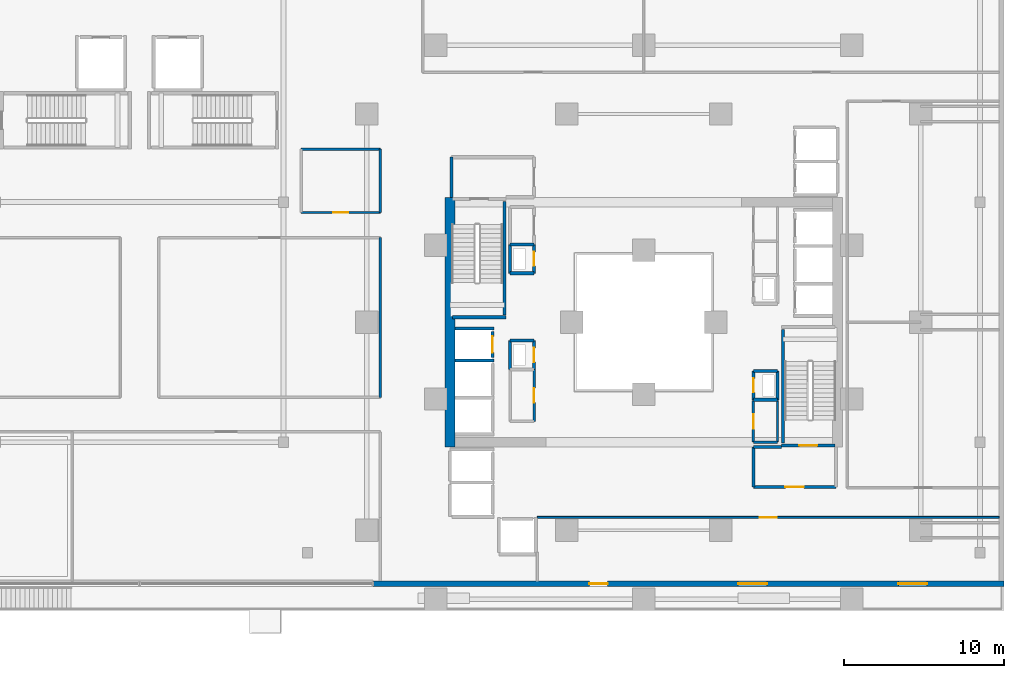
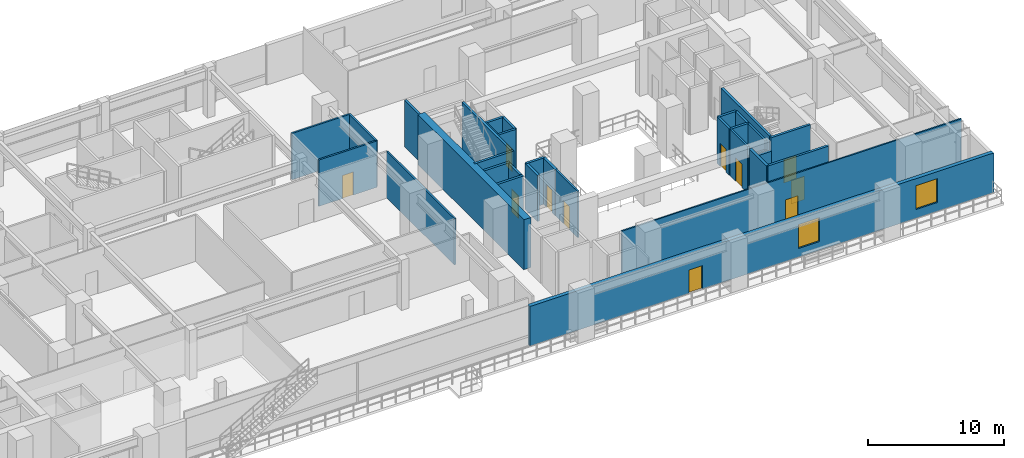
# One storey, part 15 of 22: 33 walls, 11 doors, 2 windows, 13 openings.
"""IFC4 building model written with IfcOpenShell, lengths in metres."""

from ifc_helpers import new_model, si_unit, direction, frame, frame_2d, origin, place, context, subcontext, project, spatial, rectangle, extrude, material, layer, layer_set, type_object, element, fill, save


model = new_model("IFC4")

# Units and contexts
model_context = context("Model", 3, precision=1e-05, world=origin(), true_north=direction((0.0, 1.0)))
body_context = subcontext(model_context, "Body", "Model", "MODEL_VIEW")
ifc_project = project(units=[si_unit("LENGTHUNIT", "METRE"), si_unit("AREAUNIT", "SQUARE_METRE"), si_unit("VOLUMEUNIT", "CUBIC_METRE"), si_unit("PLANEANGLEUNIT", "RADIAN"), si_unit("MASSUNIT", "GRAM", prefix="KILO")], contexts=[model_context])

# Site, building, storey
site_placement = place(None, origin())
site = spatial("IfcSite", under=ifc_project, at=site_placement, CompositionType="ELEMENT")
building_placement = place(site_placement, origin())
building = spatial("IfcBuilding", under=site, at=building_placement, Name="Thornwick Lancets Civic Towers", CompositionType="ELEMENT")
storey_placement = place(building_placement, frame((0.0, 0.0, 18.60009765625)))
storey = spatial("IfcBuildingStorey", under=building, at=storey_placement, Name="L04", CompositionType="ELEMENT", Elevation=18.60009765625)

# Wall, opening, door
ifc_material_1 = material(Name="Concrete blockwork C40/50", Category="masonry")
ifc_layer_1 = layer(ifc_material_1, 0.199951171875, Name="Concrete blockwork C40/50")
ifc_layer_set_1 = layer_set([ifc_layer_1], Name="Concrete blockwork C40/50")
wall_type_1 = type_object("IfcWallType", Name="WALL_COMP_200", PredefinedType="STANDARD", material=ifc_layer_set_1)
wall_1_placement = place(storey_placement, frame((79.050048828125, 24.780029296875, 0.0), z_axis=(0.0, 0.0, 1.0), x_axis=(0.0, 1.0, 0.0)))
wall_1 = element("IfcWall", 1, at=wall_1_placement, inside=storey, type_object=wall_type_1, Name="L04 Hoistway Front Wall FL-B2", PredefinedType="STANDARD", context=body_context, shape_type="SweptSolid", body=[
    extrude(rectangle(XDim=1.639892578125, YDim=0.199951171875, at=frame_2d((0.81982421875, 0.0))), origin(), (0.0, 0.0, 1.0), 4.159912109375),
])
opening_1_placement = place(wall_1_placement, frame((0.31005859375, 0.0, 0.0)))
opening_1 = element("IfcOpeningElement", 2, at=opening_1_placement, cuts=wall_1, Name="Opening LD-FL-B2", PredefinedType="OPENING", context=body_context, shape_type="SweptSolid", body=[
    extrude(rectangle(XDim=1.02001953125, YDim=2.06005859375, at=frame_2d((0.510009765625, 1.030029296875))), frame((0.0, 0.10986328125, 0.0), z_axis=(0.0, -1.0, 0.0), x_axis=(1.0, 0.0, 0.0)), (0.0, 0.0, 1.0), 0.219970703125),
])
ifc_material_2 = material(Name="Brushed bronze stainless steel", Category="steel")
door_type_1 = type_object("IfcDoorType", Name="DOOR_LIFT_SLIDE", OperationType="SLIDING_TO_LEFT", PredefinedType="DOOR", material=ifc_material_2)
door_1_placement = place(opening_1_placement, origin())
door_1 = element("IfcDoor", 3, at=door_1_placement, inside=storey, type_object=door_type_1, Name="L04 Sliding Lift Landing Door LD-FL-B2", OperationType="SLIDING_TO_LEFT", OverallHeight=2.06005859375, OverallWidth=1.02001953125, PredefinedType="DOOR", context=body_context, shape_type="SweptSolid", body=[
    extrude(rectangle(XDim=1.02001953125, YDim=2.06005859375, at=frame_2d((0.510009765625, 1.030029296875))), frame((0.0, 0.02490234375, 0.0), z_axis=(0.0, -1.0, 0.0), x_axis=(1.0, 0.0, 0.0)), (0.0, 0.0, 1.0), 0.050048828125),
])
fill(opening_1, door_1)

# Walls
for number, where, z_axis, x_axis, name in (
    (4, (76.7119140625, 26.60009765625, 0.0), (0.0, 0.0, 1.0), (1.0, 0.0, 0.0), "L04 Hoistway Shaft Wall FL-B2 N"),
    (5, (76.7119140625, 24.60009765625, 0.0), (0.0, 0.0, 1.0), (1.0, 0.0, 0.0), "L04 Hoistway Shaft Wall FL-B2 S"),
):
    element("IfcWall", number, at=place(storey_placement, frame(where, z_axis=z_axis, x_axis=x_axis)), inside=storey, type_object=wall_type_1, Name=name, PredefinedType="STANDARD", context=body_context, shape_type="SweptSolid", body=[
        extrude(rectangle(XDim=2.43603515625, YDim=0.199951171875, at=frame_2d((1.218017578125, 0.0))), origin(), (0.0, 0.0, 1.0), 4.159912109375),
    ])

# Wall, opening, door
wall_2_placement = place(storey_placement, frame((95.35009765625, 16.699951171875, 0.0), z_axis=(0.0, 0.0, 1.0), x_axis=(1.0, 0.0, 0.0)))
wall_2 = element("IfcWall", 6, at=wall_2_placement, inside=storey, type_object=wall_type_1, Name="L04 Partition L04-B-FFLOB1 E1", PredefinedType="STANDARD", context=body_context, shape_type="SweptSolid", body=[
    extrude(rectangle(XDim=5.14990234375, YDim=0.199951171875, at=frame_2d((2.574951171875, 0.0))), origin(), (0.0, 0.0, 1.0), 4.159912109375),
])
opening_2_placement = place(wall_2_placement, frame((2.0, 0.0, 0.0)))
opening_2 = element("IfcOpeningElement", 7, at=opening_2_placement, cuts=wall_2, Name="Opening D-L04-0244", PredefinedType="OPENING", context=body_context, shape_type="SweptSolid", body=[
    extrude(rectangle(XDim=1.14990234375, YDim=2.10009765625, at=frame_2d((0.574951171875, 1.050048828125))), frame((0.0, 0.10986328125, 0.0), z_axis=(0.0, -1.0, 0.0), x_axis=(1.0, 0.0, 0.0)), (0.0, 0.0, 1.0), 0.219970703125),
])
ifc_material_3 = material(Name="Glazed fire-resisting steel", Category="steel")
door_type_2 = type_object("IfcDoorType", Name="DOOR_LOBBY_FD60", OperationType="NOTDEFINED", PredefinedType="DOOR", material=ifc_material_3)
door_2_placement = place(opening_2_placement, origin())
door_2 = element("IfcDoor", 8, at=door_2_placement, inside=storey, type_object=door_type_2, Name="L04 East Firefighting Lobby 1 Door", OperationType="SINGLE_SWING_LEFT", OverallHeight=2.10009765625, OverallWidth=1.14990234375, PredefinedType="DOOR", context=body_context, shape_type="SweptSolid", body=[
    extrude(rectangle(XDim=1.14990234375, YDim=2.10009765625, at=frame_2d((0.574951171875, 1.050048828125))), frame((0.0, 0.02490234375, 0.0), z_axis=(0.0, -1.0, 0.0), x_axis=(1.0, 0.0, 0.0)), (0.0, 0.0, 1.0), 0.050048828125),
])
fill(opening_2, door_2)

# Walls
wall_3_placement = place(storey_placement, frame((97.10009765625, 19.199951171875, 0.0), z_axis=(0.0, 0.0, 1.0), x_axis=(-1.0, 0.0, 0.0)))
element("IfcWall", 9, at=wall_3_placement, inside=storey, type_object=wall_type_1, Name="L04 Partition L04-B-FFLOB1 E3", PredefinedType="STANDARD", context=body_context, shape_type="SweptSolid", body=[
    extrude(rectangle(XDim=1.75, YDim=0.199951171875, at=frame_2d((0.875, 0.0))), origin(), (0.0, 0.0, 1.0), 3.364990234375),
])
for number, where, z_axis, x_axis, name in (
    (10, (95.35009765625, 19.199951171875, 0.0), (0.0, 0.0, 1.0), (0.0, -1.0, 0.0), "L04 Partition L04-B-FFLOB1 E4"),
    (11, (76.5, 37.300048828125, 0.0), (0.0, 0.0, 1.0), (0.0, -1.0, 0.0), "L04 Partition L04-B-FFLOB2 E4"),
):
    element("IfcWall", number, at=place(storey_placement, frame(where, z_axis=z_axis, x_axis=x_axis)), inside=storey, type_object=wall_type_1, Name=name, PredefinedType="STANDARD", context=body_context, shape_type="SweptSolid", body=[
        extrude(rectangle(XDim=2.5, YDim=0.199951171875, at=frame_2d((1.25, 0.0))), origin(), (0.0, 0.0, 1.0), 4.159912109375),
    ])
wall_4_placement = place(storey_placement, frame((95.35009765625, 22.14990234375, 0.0), z_axis=(0.0, 0.0, 1.0), x_axis=(1.0, 0.0, 0.0)))
element("IfcWall", 12, at=wall_4_placement, inside=storey, type_object=wall_type_1, Name="L04 Partition L04-B-RISER1 E1", PredefinedType="STANDARD", context=body_context, shape_type="SweptSolid", body=[
    extrude(rectangle(XDim=1.5, YDim=0.199951171875, at=frame_2d((0.75, 0.0))), origin(), (0.0, 0.0, 1.0), 4.159912109375),
])
wall_5_placement = place(storey_placement, frame((96.85009765625, 22.14990234375, 0.0), z_axis=(0.0, 0.0, 1.0), x_axis=(0.0, 1.0, 0.0)))
element("IfcWall", 13, at=wall_5_placement, inside=storey, type_object=wall_type_1, Name="L04 Partition L04-B-RISER1 E2", PredefinedType="STANDARD", context=body_context, shape_type="SweptSolid", body=[
    extrude(rectangle(XDim=1.800048828125, YDim=0.199951171875, at=frame_2d((0.89990234375, 0.0))), origin(), (0.0, 0.0, 1.0), 4.159912109375),
])
wall_6_placement = place(storey_placement, frame((96.85009765625, 23.949951171875, 0.0), z_axis=(0.0, 0.0, 1.0), x_axis=(-1.0, 0.0, 0.0)))
element("IfcWall", 14, at=wall_6_placement, inside=storey, type_object=wall_type_1, Name="L04 Partition L04-B-RISER1 E3", PredefinedType="STANDARD", context=body_context, shape_type="SweptSolid", body=[
    extrude(rectangle(XDim=1.5, YDim=0.199951171875, at=frame_2d((0.75, 0.0))), origin(), (0.0, 0.0, 1.0), 4.159912109375),
])

# Wall, opening, door
wall_7_placement = place(storey_placement, frame((95.35009765625, 23.949951171875, 0.0), z_axis=(0.0, 0.0, 1.0), x_axis=(0.0, -1.0, 0.0)))
wall_7 = element("IfcWall", 15, at=wall_7_placement, inside=storey, type_object=wall_type_1, Name="L04 Partition L04-B-RISER1 E4", PredefinedType="STANDARD", context=body_context, shape_type="SweptSolid", body=[
    extrude(rectangle(XDim=1.800048828125, YDim=0.199951171875, at=frame_2d((0.89990234375, 0.0))), origin(), (0.0, 0.0, 1.0), 4.159912109375),
])
opening_3_placement = place(wall_7_placement, frame((0.4599609375, 0.0, 0.0)))
opening_3 = element("IfcOpeningElement", 16, at=opening_3_placement, cuts=wall_7, Name="Opening D-L04-0247", PredefinedType="OPENING", context=body_context, shape_type="SweptSolid", body=[
    extrude(rectangle(XDim=0.8798828125, YDim=2.0400390625, at=frame_2d((0.43994140625, 1.02001953125))), frame((0.0, 0.10986328125, 0.0), z_axis=(0.0, -1.0, 0.0), x_axis=(1.0, 0.0, 0.0)), (0.0, 0.0, 1.0), 0.219970703125),
])
ifc_material_4 = material(Name="Steel riser access doorset", Category="steel")
door_type_3 = type_object("IfcDoorType", Name="DOOR_RISER_850", OperationType="NOTDEFINED", PredefinedType="DOOR", material=ifc_material_4)
door_3_placement = place(opening_3_placement, origin())
door_3 = element("IfcDoor", 17, at=door_3_placement, inside=storey, type_object=door_type_3, Name="L04 East Electrical Riser 1 Door", OperationType="SINGLE_SWING_RIGHT", OverallHeight=2.0400390625, OverallWidth=0.8798828125, PredefinedType="DOOR", context=body_context, shape_type="SweptSolid", body=[
    extrude(rectangle(XDim=0.8798828125, YDim=2.0400390625, at=frame_2d((0.43994140625, 1.02001953125))), frame((0.0, 0.02490234375, 0.0), z_axis=(0.0, -1.0, 0.0), x_axis=(1.0, 0.0, 0.0)), (0.0, 0.0, 1.0), 0.050048828125),
])
fill(opening_3, door_3)

wall_8_placement = place(storey_placement, frame((81.64990234375, 24.050048828125, 0.0), z_axis=(0.0, 0.0, 1.0), x_axis=(0.0, 1.0, 0.0)))
wall_8 = element("IfcWall", 18, at=wall_8_placement, inside=storey, type_object=wall_type_1, Name="L04 Partition L04-B-DUCT2 E2", PredefinedType="STANDARD", context=body_context, shape_type="SweptSolid", body=[
    extrude(rectangle(XDim=1.800048828125, YDim=0.199951171875, at=frame_2d((0.89990234375, 0.0))), origin(), (0.0, 0.0, 1.0), 4.159912109375),
])
opening_4_placement = place(wall_8_placement, frame((0.4599609375, 0.0, 0.0)))
opening_4 = element("IfcOpeningElement", 19, at=opening_4_placement, cuts=wall_8, Name="Opening D-L04-0248", PredefinedType="OPENING", context=body_context, shape_type="SweptSolid", body=[
    extrude(rectangle(XDim=0.8798828125, YDim=2.0400390625, at=frame_2d((0.43994140625, 1.02001953125))), frame((0.0, 0.10986328125, 0.0), z_axis=(0.0, -1.0, 0.0), x_axis=(1.0, 0.0, 0.0)), (0.0, 0.0, 1.0), 0.219970703125),
])
door_4_placement = place(opening_4_placement, origin())
door_4 = element("IfcDoor", 20, at=door_4_placement, inside=storey, type_object=door_type_3, Name="L04 West Service Duct 2 Door", OperationType="SINGLE_SWING_LEFT", OverallHeight=2.0400390625, OverallWidth=0.8798828125, PredefinedType="DOOR", context=body_context, shape_type="SweptSolid", body=[
    extrude(rectangle(XDim=0.8798828125, YDim=2.0400390625, at=frame_2d((0.43994140625, 1.02001953125))), frame((0.0, 0.02490234375, 0.0), z_axis=(0.0, -1.0, 0.0), x_axis=(1.0, 0.0, 0.0)), (0.0, 0.0, 1.0), 0.050048828125),
])
fill(opening_4, door_4)

# Walls
wall_9_placement = place(storey_placement, frame((81.64990234375, 25.85009765625, 0.0), z_axis=(0.0, 0.0, 1.0), x_axis=(-1.0, 0.0, 0.0)))
element("IfcWall", 21, at=wall_9_placement, inside=storey, type_object=wall_type_1, Name="L04 Partition L04-B-DUCT2 E3", PredefinedType="STANDARD", context=body_context, shape_type="SweptSolid", body=[
    extrude(rectangle(XDim=1.5, YDim=0.199951171875, at=frame_2d((0.75, 0.0))), origin(), (0.0, 0.0, 1.0), 4.159912109375),
])
wall_10_placement = place(storey_placement, frame((80.14990234375, 25.85009765625, 0.0), z_axis=(0.0, 0.0, 1.0), x_axis=(0.0, -1.0, 0.0)))
element("IfcWall", 22, at=wall_10_placement, inside=storey, type_object=wall_type_1, Name="L04 Partition L04-B-DUCT2 E4", PredefinedType="STANDARD", context=body_context, shape_type="SweptSolid", body=[
    extrude(rectangle(XDim=1.800048828125, YDim=0.199951171875, at=frame_2d((0.89990234375, 0.0))), origin(), (0.0, 0.0, 1.0), 4.159912109375),
])
wall_11_placement = place(storey_placement, frame((80.14990234375, 30.050048828125, 0.0), z_axis=(0.0, 0.0, 1.0), x_axis=(1.0, 0.0, 0.0)))
element("IfcWall", 23, at=wall_11_placement, inside=storey, type_object=wall_type_1, Name="L04 Partition L04-B-RISER2 E1", PredefinedType="STANDARD", context=body_context, shape_type="SweptSolid", body=[
    extrude(rectangle(XDim=1.5, YDim=0.199951171875, at=frame_2d((0.75, 0.0))), origin(), (0.0, 0.0, 1.0), 4.159912109375),
])

# Wall, opening, door
wall_12_placement = place(storey_placement, frame((81.64990234375, 30.050048828125, 0.0), z_axis=(0.0, 0.0, 1.0), x_axis=(0.0, 1.0, 0.0)))
wall_12 = element("IfcWall", 24, at=wall_12_placement, inside=storey, type_object=wall_type_1, Name="L04 Partition L04-B-RISER2 E2", PredefinedType="STANDARD", context=body_context, shape_type="SweptSolid", body=[
    extrude(rectangle(XDim=1.800048828125, YDim=0.199951171875, at=frame_2d((0.89990234375, 0.0))), origin(), (0.0, 0.0, 1.0), 4.159912109375),
])
opening_5_placement = place(wall_12_placement, frame((0.4599609375, 0.0, 0.0)))
opening_5 = element("IfcOpeningElement", 25, at=opening_5_placement, cuts=wall_12, Name="Opening D-L04-0249", PredefinedType="OPENING", context=body_context, shape_type="SweptSolid", body=[
    extrude(rectangle(XDim=0.8798828125, YDim=2.0400390625, at=frame_2d((0.43994140625, 1.02001953125))), frame((0.0, 0.10986328125, 0.0), z_axis=(0.0, -1.0, 0.0), x_axis=(1.0, 0.0, 0.0)), (0.0, 0.0, 1.0), 0.219970703125),
])
door_5_placement = place(opening_5_placement, origin())
door_5 = element("IfcDoor", 26, at=door_5_placement, inside=storey, type_object=door_type_3, Name="L04 West Service Riser 2 Door", OperationType="SINGLE_SWING_RIGHT", OverallHeight=2.0400390625, OverallWidth=0.8798828125, PredefinedType="DOOR", context=body_context, shape_type="SweptSolid", body=[
    extrude(rectangle(XDim=0.8798828125, YDim=2.0400390625, at=frame_2d((0.43994140625, 1.02001953125))), frame((0.0, 0.02490234375, 0.0), z_axis=(0.0, -1.0, 0.0), x_axis=(1.0, 0.0, 0.0)), (0.0, 0.0, 1.0), 0.050048828125),
])
fill(opening_5, door_5)

# Walls
wall_13_placement = place(storey_placement, frame((81.64990234375, 31.85009765625, 0.0), z_axis=(0.0, 0.0, 1.0), x_axis=(-1.0, 0.0, 0.0)))
element("IfcWall", 27, at=wall_13_placement, inside=storey, type_object=wall_type_1, Name="L04 Partition L04-B-RISER2 E3", PredefinedType="STANDARD", context=body_context, shape_type="SweptSolid", body=[
    extrude(rectangle(XDim=1.5, YDim=0.199951171875, at=frame_2d((0.75, 0.0))), origin(), (0.0, 0.0, 1.0), 4.159912109375),
])
wall_14_placement = place(storey_placement, frame((80.14990234375, 31.85009765625, 0.0), z_axis=(0.0, 0.0, 1.0), x_axis=(0.0, -1.0, 0.0)))
element("IfcWall", 28, at=wall_14_placement, inside=storey, type_object=wall_type_1, Name="L04 Partition L04-B-RISER2 E4", PredefinedType="STANDARD", context=body_context, shape_type="SweptSolid", body=[
    extrude(rectangle(XDim=1.800048828125, YDim=0.199951171875, at=frame_2d((0.89990234375, 0.0))), origin(), (0.0, 0.0, 1.0), 4.159912109375),
])
ifc_material_5 = material(Name="Concrete C60/75", Category="concrete")
ifc_layer_2 = layer(ifc_material_5, 0.60009765625, Name="Concrete C60/75")
ifc_layer_set_2 = layer_set([ifc_layer_2], Name="Concrete C60/75")
wall_type_2 = type_object("IfcWallType", Name="WALL_CORE_600", PredefinedType="SHEAR", material=ifc_layer_set_2)
wall_15_placement = place(storey_placement, frame((76.39990234375, 19.199951171875, 0.0), z_axis=(0.0, 0.0, 1.0), x_axis=(0.0, 1.0, 0.0)))
element("IfcWall", 29, at=wall_15_placement, inside=storey, type_object=wall_type_2, Name="L04 Split Core B2 Shear Wall W", PredefinedType="SHEAR", context=body_context, shape_type="SweptSolid", body=[
    extrude(rectangle(XDim=15.60009765625, YDim=0.60009765625, at=frame_2d((7.800048828125, 0.0))), origin(), (0.0, 0.0, 1.0), 4.5),
])

# Wall, openings, door, windows
ifc_material_6 = material(Name="Insulated buff terracotta rainscreen on concrete C40/50", Category="masonry")
ifc_layer_3 = layer(ifc_material_6, 0.320068359375, Name="Insulated buff terracotta rainscreen on concrete C40/50")
ifc_layer_set_3 = layer_set([ifc_layer_3], Name="Insulated buff terracotta rainscreen on concrete C40/50")
wall_type_3 = type_object("IfcWallType", Name="WALL_EXT_TERRA_320", PredefinedType="STANDARD", material=ifc_layer_set_3)
wall_16_placement = place(storey_placement, frame((71.60009765625, 10.659912109375, 0.0), z_axis=(0.0, 0.0, 1.0), x_axis=(1.0, 0.0, 0.0)))
wall_16 = element("IfcWall", 30, at=wall_16_placement, inside=storey, type_object=wall_type_3, Name="L04 Podium South-East Facade Wall", PredefinedType="STANDARD", context=body_context, shape_type="SweptSolid", body=[
    extrude(rectangle(XDim=39.39990234375, YDim=0.320068359375, at=frame_2d((19.699951171875, 0.0))), origin(), (0.0, 0.0, 1.0), 3.559814453125),
])
opening_6_placement = place(wall_16_placement, frame((13.5, 0.0, 0.0)))
opening_6 = element("IfcOpeningElement", 31, at=opening_6_placement, cuts=wall_16, Name="Opening D-TR-L04-2", PredefinedType="OPENING", context=body_context, shape_type="SweptSolid", body=[
    extrude(rectangle(XDim=1.14990234375, YDim=2.10009765625, at=frame_2d((0.574951171875, 1.050048828125))), frame((0.0, 0.169921875, 0.0), z_axis=(0.0, -1.0, 0.0), x_axis=(1.0, 0.0, 0.0)), (0.0, 0.0, 1.0), 0.340087890625),
])
opening_7_placement = place(wall_16_placement, frame((22.800048828125, 0.0, 0.780029296875)))
opening_7 = element("IfcOpeningElement", 32, at=opening_7_placement, cuts=wall_16, Name="Opening WP-18", PredefinedType="OPENING", context=body_context, shape_type="SweptSolid", body=[
    extrude(rectangle(XDim=1.800048828125, YDim=2.14990234375, at=frame_2d((0.89990234375, 1.074951171875))), frame((0.0, 0.169921875, 0.0), z_axis=(0.0, -1.0, 0.0), x_axis=(1.0, 0.0, 0.0)), (0.0, 0.0, 1.0), 0.340087890625),
])
opening_8_placement = place(wall_16_placement, frame((32.800048828125, 0.0, 0.780029296875)))
opening_8 = element("IfcOpeningElement", 33, at=opening_8_placement, cuts=wall_16, Name="Opening WP-18", PredefinedType="OPENING", context=body_context, shape_type="SweptSolid", body=[
    extrude(rectangle(XDim=1.800048828125, YDim=2.14990234375, at=frame_2d((0.89990234375, 1.074951171875))), frame((0.0, 0.169921875, 0.0), z_axis=(0.0, -1.0, 0.0), x_axis=(1.0, 0.0, 0.0)), (0.0, 0.0, 1.0), 0.340087890625),
])
ifc_material_7 = material(Name="Thermally broken glazed terrace doorset")
door_type_4 = type_object("IfcDoorType", Name="DOOR_TERRACE_1200", OperationType="NOTDEFINED", PredefinedType="DOOR", material=ifc_material_7)
door_6_placement = place(opening_6_placement, origin())
door_6 = element("IfcDoor", 34, at=door_6_placement, inside=storey, type_object=door_type_4, Name="L04 Cascading Garden Terrace Door 2", OperationType="SINGLE_SWING_RIGHT", OverallHeight=2.10009765625, OverallWidth=1.14990234375, PredefinedType="DOOR", context=body_context, shape_type="SweptSolid", body=[
    extrude(rectangle(XDim=1.14990234375, YDim=2.10009765625, at=frame_2d((0.574951171875, 1.050048828125))), frame((0.0, 0.02490234375, 0.0), z_axis=(0.0, -1.0, 0.0), x_axis=(1.0, 0.0, 0.0)), (0.0, 0.0, 1.0), 0.050048828125),
])
fill(opening_6, door_6)
ifc_material_8 = material(Name="Pointed lancet clear glass window", Category="glass")
window_type = type_object("IfcWindowType", Name="WIN_PODIUM_1800", PartitioningType="SINGLE_PANEL", PredefinedType="WINDOW", material=ifc_material_8)
window_1_placement = place(opening_7_placement, origin())
window_1 = element("IfcWindow", 35, at=window_1_placement, inside=storey, type_object=window_type, Name="L04 Podium Lancet Window 3", OverallHeight=2.14990234375, OverallWidth=1.800048828125, PartitioningType="SINGLE_PANEL", PredefinedType="WINDOW", context=body_context, shape_type="SweptSolid", body=[
    extrude(rectangle(XDim=1.800048828125, YDim=2.14990234375, at=frame_2d((0.89990234375, 1.074951171875))), frame((0.0, 0.030029296875, 0.0), z_axis=(0.0, -1.0, 0.0), x_axis=(1.0, 0.0, 0.0)), (0.0, 0.0, 1.0), 0.06005859375),
])
fill(opening_7, window_1)
window_2_placement = place(opening_8_placement, origin())
window_2 = element("IfcWindow", 36, at=window_2_placement, inside=storey, type_object=window_type, Name="L04 Podium Lancet Window 4", OverallHeight=2.14990234375, OverallWidth=1.800048828125, PartitioningType="SINGLE_PANEL", PredefinedType="WINDOW", context=body_context, shape_type="SweptSolid", body=[
    extrude(rectangle(XDim=1.800048828125, YDim=2.14990234375, at=frame_2d((0.89990234375, 1.074951171875))), frame((0.0, 0.030029296875, 0.0), z_axis=(0.0, -1.0, 0.0), x_axis=(1.0, 0.0, 0.0)), (0.0, 0.0, 1.0), 0.06005859375),
])
fill(opening_8, window_2)

# Wall, opening, door
ifc_material_9 = material(Name="Acoustic gypsum board partition")
ifc_layer_4 = layer(ifc_material_9, 0.1201171875, Name="Acoustic gypsum board partition")
ifc_layer_set_4 = layer_set([ifc_layer_4], Name="Acoustic gypsum board partition")
wall_type_4 = type_object("IfcWallType", Name="WALL_PART_120", PredefinedType="PARTITIONING", material=ifc_layer_set_4)
wall_17_placement = place(storey_placement, frame((81.85009765625, 14.800048828125, 0.0), z_axis=(0.0, 0.0, 1.0), x_axis=(1.0, 0.0, 0.0)))
wall_17 = element("IfcWall", 37, at=wall_17_placement, inside=storey, type_object=wall_type_4, Name="L04 Partition L04-SSE E2", PredefinedType="PARTITIONING", context=body_context, shape_type="SweptSolid", body=[
    extrude(rectangle(XDim=28.849853515625, YDim=0.1201171875, at=frame_2d((14.4248046875, 0.0))), origin(), (0.0, 0.0, 1.0), 4.159912109375),
])
opening_9_placement = place(wall_17_placement, frame((13.89990234375, 0.0, 0.0)))
opening_9 = element("IfcOpeningElement", 38, at=opening_9_placement, cuts=wall_17, Name="Opening D-L04-0270", PredefinedType="OPENING", context=body_context, shape_type="SweptSolid", body=[
    extrude(rectangle(XDim=1.050048828125, YDim=2.10009765625, at=frame_2d((0.52490234375, 1.050048828125))), frame((0.0, 0.070068359375, 0.0), z_axis=(0.0, -1.0, 0.0), x_axis=(1.0, 0.0, 0.0)), (0.0, 0.0, 1.0), 0.14013671875),
])
ifc_material_10 = material(Name="Glazed European oak executive doorset")
door_type_5 = type_object("IfcDoorType", Name="DOOR_OFFICE_1050", OperationType="NOTDEFINED", PredefinedType="DOOR", material=ifc_material_10)
door_7_placement = place(opening_9_placement, origin())
door_7 = element("IfcDoor", 39, at=door_7_placement, inside=storey, type_object=door_type_5, Name="L04 South-East Policy Unit Door", OperationType="SINGLE_SWING_LEFT", OverallHeight=2.10009765625, OverallWidth=1.050048828125, PredefinedType="DOOR", context=body_context, shape_type="SweptSolid", body=[
    extrude(rectangle(XDim=1.050048828125, YDim=2.10009765625, at=frame_2d((0.52490234375, 1.050048828125))), frame((0.0, 0.02490234375, 0.0), z_axis=(0.0, -1.0, 0.0), x_axis=(1.0, 0.0, 0.0)), (0.0, 0.0, 1.0), 0.050048828125),
])
fill(opening_9, door_7)

# Walls
ifc_material_11 = material(Name="Twin-stud acoustic gypsum board")
ifc_layer_5 = layer(ifc_material_11, 0.14990234375, Name="Twin-stud acoustic gypsum board")
ifc_layer_set_5 = layer_set([ifc_layer_5], Name="Twin-stud acoustic gypsum board")
wall_type_5 = type_object("IfcWallType", Name="WALL_PART_150", PredefinedType="PARTITIONING", material=ifc_layer_set_5)
wall_18_placement = place(storey_placement, frame((95.35009765625, 19.5, 0.0), z_axis=(0.0, 0.0, 1.0), x_axis=(1.0, 0.0, 0.0)))
element("IfcWall", 40, at=wall_18_placement, inside=storey, type_object=wall_type_5, Name="L04 Partition L04-B-AWC E1", PredefinedType="PARTITIONING", context=body_context, shape_type="SweptSolid", body=[
    extrude(rectangle(XDim=1.5, YDim=0.14990234375, at=frame_2d((0.75, 0.0))), origin(), (0.0, 0.0, 1.0), 3.364990234375),
])
wall_19_placement = place(storey_placement, frame((96.85009765625, 19.5, 0.0), z_axis=(0.0, 0.0, 1.0), x_axis=(0.0, 1.0, 0.0)))
element("IfcWall", 41, at=wall_19_placement, inside=storey, type_object=wall_type_5, Name="L04 Partition L04-B-AWC E2", PredefinedType="PARTITIONING", context=body_context, shape_type="SweptSolid", body=[
    extrude(rectangle(XDim=2.60009765625, YDim=0.14990234375, at=frame_2d((1.300048828125, 0.0))), origin(), (0.0, 0.0, 1.0), 4.159912109375),
])

# Wall, opening, door
wall_20_placement = place(storey_placement, frame((95.35009765625, 22.10009765625, 0.0), z_axis=(0.0, 0.0, 1.0), x_axis=(0.0, -1.0, 0.0)))
wall_20 = element("IfcWall", 42, at=wall_20_placement, inside=storey, type_object=wall_type_5, Name="L04 Partition L04-B-AWC E4", PredefinedType="PARTITIONING", context=body_context, shape_type="SweptSolid", body=[
    extrude(rectangle(XDim=2.60009765625, YDim=0.14990234375, at=frame_2d((1.300048828125, 0.0))), origin(), (0.0, 0.0, 1.0), 4.159912109375),
])
opening_10_placement = place(wall_20_placement, frame((0.840087890625, 0.0, 0.0)))
opening_10 = element("IfcOpeningElement", 43, at=opening_10_placement, cuts=wall_20, Name="Opening D-L04-0250", PredefinedType="OPENING", context=body_context, shape_type="SweptSolid", body=[
    extrude(rectangle(XDim=0.919921875, YDim=2.080078125, at=frame_2d((0.4599609375, 1.0400390625))), frame((0.0, 0.0849609375, 0.0), z_axis=(0.0, -1.0, 0.0), x_axis=(1.0, 0.0, 0.0)), (0.0, 0.0, 1.0), 0.169921875),
])
ifc_material_12 = material(Name="Moisture-resistant oak doorset")
door_type_6 = type_object("IfcDoorType", Name="DOOR_WC_900", OperationType="NOTDEFINED", PredefinedType="DOOR", material=ifc_material_12)
door_8_placement = place(opening_10_placement, origin())
door_8 = element("IfcDoor", 44, at=door_8_placement, inside=storey, type_object=door_type_6, Name="L04 Tower B Accessible WC Door", OperationType="SINGLE_SWING_LEFT", OverallHeight=2.080078125, OverallWidth=0.919921875, PredefinedType="DOOR", context=body_context, shape_type="SweptSolid", body=[
    extrude(rectangle(XDim=0.919921875, YDim=2.080078125, at=frame_2d((0.4599609375, 1.0400390625))), frame((0.0, 0.02490234375, 0.0), z_axis=(0.0, -1.0, 0.0), x_axis=(1.0, 0.0, 0.0)), (0.0, 0.0, 1.0), 0.050048828125),
])
fill(opening_10, door_8)

wall_21_placement = place(storey_placement, frame((81.64990234375, 24.050048828125, 0.0), z_axis=(0.0, 0.0, 1.0), x_axis=(0.0, -1.0, 0.0)))
wall_21 = element("IfcWall", 45, at=wall_21_placement, inside=storey, type_object=wall_type_5, Name="L04 Partition L04-B-FWC E4", PredefinedType="PARTITIONING", context=body_context, shape_type="SweptSolid", body=[
    extrude(rectangle(XDim=3.25, YDim=0.14990234375, at=frame_2d((1.625, 0.0))), origin(), (0.0, 0.0, 1.0), 4.159912109375),
])
opening_11_placement = place(wall_21_placement, frame((1.1650390625, 0.0, 0.0)))
opening_11 = element("IfcOpeningElement", 46, at=opening_11_placement, cuts=wall_21, Name="Opening D-L04-0253", PredefinedType="OPENING", context=body_context, shape_type="SweptSolid", body=[
    extrude(rectangle(XDim=0.919921875, YDim=2.080078125, at=frame_2d((0.4599609375, 1.0400390625))), frame((0.0, 0.0849609375, 0.0), z_axis=(0.0, -1.0, 0.0), x_axis=(1.0, 0.0, 0.0)), (0.0, 0.0, 1.0), 0.169921875),
])
door_9_placement = place(opening_11_placement, origin())
door_9 = element("IfcDoor", 47, at=door_9_placement, inside=storey, type_object=door_type_6, Name="L04 Tower B Female WC Door", OperationType="SINGLE_SWING_RIGHT", OverallHeight=2.080078125, OverallWidth=0.919921875, PredefinedType="DOOR", context=body_context, shape_type="SweptSolid", body=[
    extrude(rectangle(XDim=0.919921875, YDim=2.080078125, at=frame_2d((0.4599609375, 1.0400390625))), frame((0.0, 0.02490234375, 0.0), z_axis=(0.0, -1.0, 0.0), x_axis=(1.0, 0.0, 0.0)), (0.0, 0.0, 1.0), 0.050048828125),
])
fill(opening_11, door_9)

wall_22_placement = place(storey_placement, frame((67.10009765625, 33.85009765625, 0.0), z_axis=(0.0, 0.0, 1.0), x_axis=(1.0, 0.0, 0.0)))
wall_22 = element("IfcWall", 48, at=wall_22_placement, inside=storey, type_object=wall_type_5, Name="L04 Partition L04-POD-FWC E1", PredefinedType="PARTITIONING", context=body_context, shape_type="SweptSolid", body=[
    extrude(rectangle(XDim=4.949951171875, YDim=0.14990234375, at=frame_2d((2.47509765625, 0.0))), origin(), (0.0, 0.0, 1.0), 4.159912109375),
])
opening_12_placement = place(wall_22_placement, frame((2.014892578125, 0.0, 0.0)))
opening_12 = element("IfcOpeningElement", 49, at=opening_12_placement, cuts=wall_22, Name="Opening D-L04-0256", PredefinedType="OPENING", context=body_context, shape_type="SweptSolid", body=[
    extrude(rectangle(XDim=0.919921875, YDim=2.080078125, at=frame_2d((0.4599609375, 1.0400390625))), frame((0.0, 0.0849609375, 0.0), z_axis=(0.0, -1.0, 0.0), x_axis=(1.0, 0.0, 0.0)), (0.0, 0.0, 1.0), 0.169921875),
])
door_10_placement = place(opening_12_placement, origin())
door_10 = element("IfcDoor", 50, at=door_10_placement, inside=storey, type_object=door_type_6, Name="L04 Podium Public Female WC Door", OperationType="SINGLE_SWING_LEFT", OverallHeight=2.080078125, OverallWidth=0.919921875, PredefinedType="DOOR", context=body_context, shape_type="SweptSolid", body=[
    extrude(rectangle(XDim=0.919921875, YDim=2.080078125, at=frame_2d((0.4599609375, 1.0400390625))), frame((0.0, 0.02490234375, 0.0), z_axis=(0.0, -1.0, 0.0), x_axis=(1.0, 0.0, 0.0)), (0.0, 0.0, 1.0), 0.050048828125),
])
fill(opening_12, door_10)

# Walls
wall_23_placement = place(storey_placement, frame((72.050048828125, 33.85009765625, 0.0), z_axis=(0.0, 0.0, 1.0), x_axis=(0.0, 1.0, 0.0)))
element("IfcWall", 51, at=wall_23_placement, inside=storey, type_object=wall_type_5, Name="L04 Partition L04-POD-FWC E2", PredefinedType="PARTITIONING", context=body_context, shape_type="SweptSolid", body=[
    extrude(rectangle(XDim=3.949951171875, YDim=0.14990234375, at=frame_2d((1.97509765625, 0.0))), origin(), (0.0, 0.0, 1.0), 4.159912109375),
])
wall_24_placement = place(storey_placement, frame((72.050048828125, 37.800048828125, 0.0), z_axis=(0.0, 0.0, 1.0), x_axis=(-1.0, 0.0, 0.0)))
element("IfcWall", 52, at=wall_24_placement, inside=storey, type_object=wall_type_5, Name="L04 Partition L04-POD-FWC E3", PredefinedType="PARTITIONING", context=body_context, shape_type="SweptSolid", body=[
    extrude(rectangle(XDim=4.949951171875, YDim=0.14990234375, at=frame_2d((2.47509765625, 0.0))), origin(), (0.0, 0.0, 1.0), 4.159912109375),
])
wall_25_placement = place(storey_placement, frame((72.050048828125, 32.280029296875, 0.0), z_axis=(0.0, 0.0, 1.0), x_axis=(0.0, -1.0, 0.0)))
element("IfcWall", 53, at=wall_25_placement, inside=storey, type_object=wall_type_5, Name="L04 Partition L04-CSE E2", PredefinedType="PARTITIONING", context=body_context, shape_type="SweptSolid", body=[
    extrude(rectangle(XDim=9.97998046875, YDim=0.14990234375, at=frame_2d((4.989990234375, 0.0))), origin(), (0.0, 0.0, 1.0), 4.159912109375),
])

# Wall, opening, door
ifc_material_13 = material(Name="Concrete C40/50", Category="concrete")
ifc_layer_6 = layer(ifc_material_13, 0.199951171875, Name="Concrete C40/50")
ifc_layer_set_6 = layer_set([ifc_layer_6], Name="Concrete C40/50")
wall_type_6 = type_object("IfcWallType", Name="WALL_SHAFT_200", PredefinedType="SHEAR", material=ifc_layer_set_6)
wall_26_placement = place(storey_placement, frame((100.449951171875, 19.300048828125, 0.0), z_axis=(0.0, 0.0, 1.0), x_axis=(-1.0, 0.0, 0.0)))
wall_26 = element("IfcWall", 54, at=wall_26_placement, inside=storey, type_object=wall_type_6, Name="L04 ST-B1 Fire Stair Core Wall NEAR", PredefinedType="SHEAR", context=body_context, shape_type="SweptSolid", body=[
    extrude(rectangle(XDim=3.349853515625, YDim=0.199951171875, at=frame_2d((1.6748046875, 0.0))), origin(), (0.0, 0.0, 1.0), 4.5),
])
opening_13_placement = place(wall_26_placement, frame((1.125, 0.0, 0.0)))
opening_13 = element("IfcOpeningElement", 55, at=opening_13_placement, cuts=wall_26, Name="Opening D-ST-B1-L04", PredefinedType="OPENING", context=body_context, shape_type="SweptSolid", body=[
    extrude(rectangle(XDim=1.10009765625, YDim=2.10009765625, at=frame_2d((0.550048828125, 1.050048828125))), frame((0.0, 0.10986328125, 0.0), z_axis=(0.0, -1.0, 0.0), x_axis=(1.0, 0.0, 0.0)), (0.0, 0.0, 1.0), 0.219970703125),
])
ifc_material_14 = material(Name="Fire-resisting steel and hardwood", Category="steel")
door_type_7 = type_object("IfcDoorType", Name="DOOR_STAIR_FD60", OperationType="NOTDEFINED", PredefinedType="DOOR", material=ifc_material_14)
door_11_placement = place(opening_13_placement, origin())
door_11 = element("IfcDoor", 56, at=door_11_placement, inside=storey, type_object=door_type_7, Name="L04 ST-B1 Exit Stair Door", OperationType="SINGLE_SWING_RIGHT", OverallHeight=2.10009765625, OverallWidth=1.10009765625, PredefinedType="DOOR", context=body_context, shape_type="SweptSolid", body=[
    extrude(rectangle(XDim=1.10009765625, YDim=2.10009765625, at=frame_2d((0.550048828125, 1.050048828125))), frame((0.0, 0.02490234375, 0.0), z_axis=(0.0, -1.0, 0.0), x_axis=(1.0, 0.0, 0.0)), (0.0, 0.0, 1.0), 0.050048828125),
])
fill(opening_13, door_11)

# Walls
wall_27_placement = place(storey_placement, frame((97.202880859375, 26.550048828125, 0.0), z_axis=(0.0, 0.0, 1.0), x_axis=(0.0, -1.0, 0.0)))
element("IfcWall", 57, at=wall_27_placement, inside=storey, type_object=wall_type_6, Name="L04 ST-B1 Fire Stair Core Wall RIGHT", PredefinedType="SHEAR", context=body_context, shape_type="SweptSolid", body=[
    extrude(rectangle(XDim=7.10009765625, YDim=0.199951171875, at=frame_2d((3.550048828125, 0.0))), origin(), (0.0, 0.0, 1.0), 4.5),
])
wall_28_placement = place(storey_placement, frame((79.89990234375, 27.300048828125, 0.0), z_axis=(0.0, 0.0, 1.0), x_axis=(-1.0, 0.0, 0.0)))
element("IfcWall", 58, at=wall_28_placement, inside=storey, type_object=wall_type_6, Name="L04 ST-B2 Fire Stair Core Wall FAR", PredefinedType="SHEAR", context=body_context, shape_type="SweptSolid", body=[
    extrude(rectangle(XDim=3.349853515625, YDim=0.199951171875, at=frame_2d((1.6748046875, 0.0))), origin(), (0.0, 0.0, 1.0), 4.5),
])
wall_29_placement = place(storey_placement, frame((79.797119140625, 27.449951171875, 0.0), z_axis=(0.0, 0.0, 1.0), x_axis=(0.0, 1.0, 0.0)))
element("IfcWall", 59, at=wall_29_placement, inside=storey, type_object=wall_type_6, Name="L04 ST-B2 Fire Stair Core Wall RIGHT", PredefinedType="SHEAR", context=body_context, shape_type="SweptSolid", body=[
    extrude(rectangle(XDim=7.10009765625, YDim=0.199951171875, at=frame_2d((3.550048828125, 0.0))), origin(), (0.0, 0.0, 1.0), 4.5),
])

save(model, "model.ifc")
